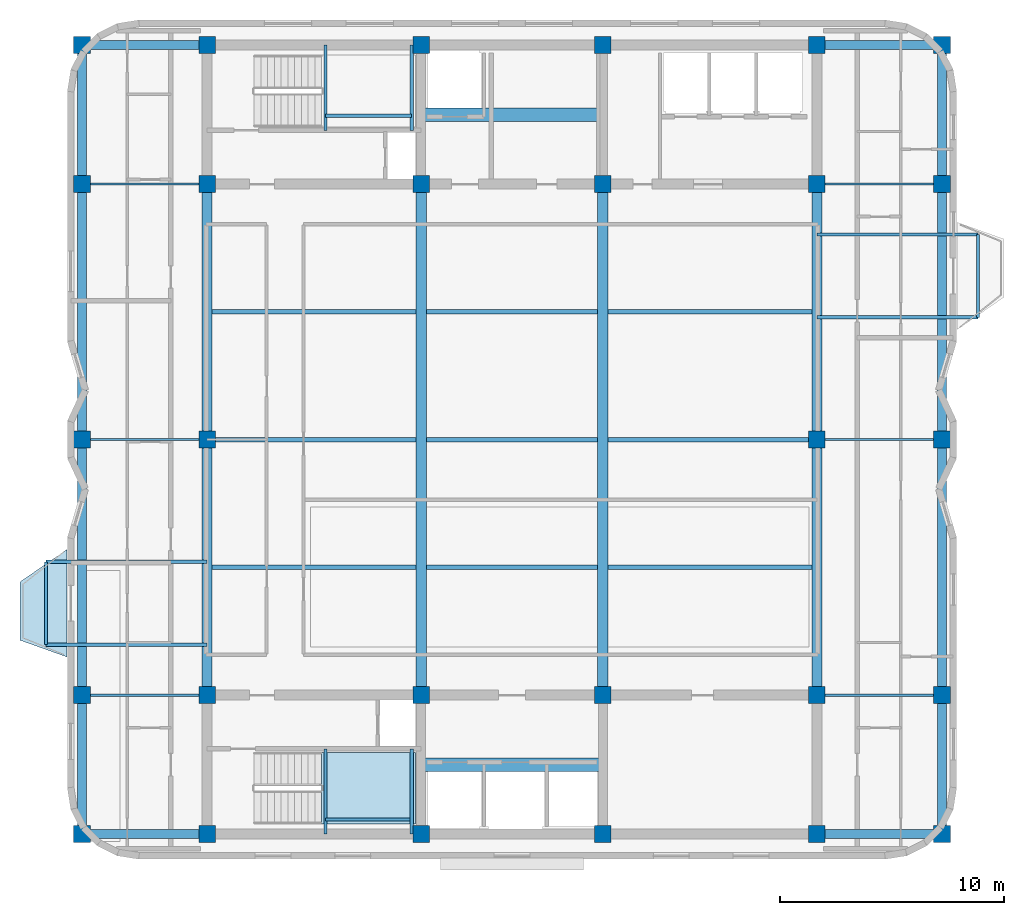
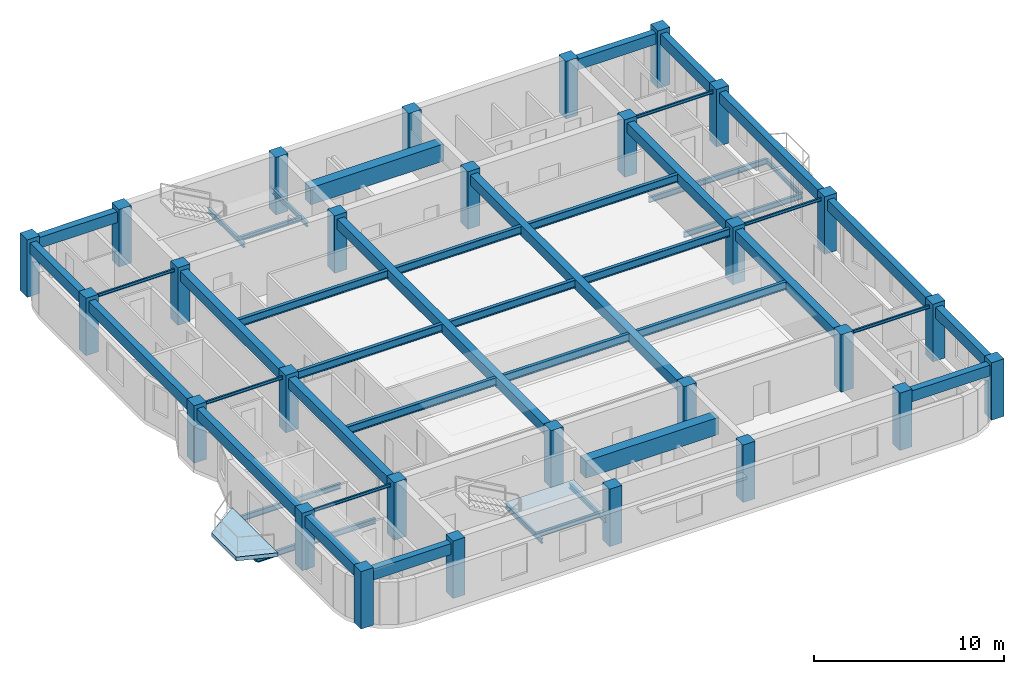
# One storey, part 1 of 8: 47 beams, 28 columns, 2 slabs, 1 element without a shape of its own.
"""IFC4 building model written with IfcOpenShell, lengths in metres."""

from ifc_helpers import new_model, si_unit, direction, frame, origin, origin_2d, place, context, subcontext, project, spatial, polyline, rectangle, i_section, outline, extrude, material, layer, layer_set, material_profile, profile_set, type_object, element, aggregate, save


model = new_model("IFC4")

# Units and contexts
model_context = context("Model", 3, precision=1e-05, world=origin(), true_north=direction((0.0, 1.0)))
body_context = subcontext(model_context, "Body", "Model", "MODEL_VIEW")
ifc_project = project(units=[si_unit("LENGTHUNIT", "METRE"), si_unit("AREAUNIT", "SQUARE_METRE"), si_unit("VOLUMEUNIT", "CUBIC_METRE"), si_unit("PLANEANGLEUNIT", "RADIAN"), si_unit("MASSUNIT", "GRAM", prefix="KILO")], contexts=[model_context])

# Site, building, storey
site_placement = place(None, origin())
site = spatial("IfcSite", under=ifc_project, at=site_placement, CompositionType="ELEMENT")
building_placement = place(site_placement, origin())
building = spatial("IfcBuilding", under=site, at=building_placement, Name="Svetorya Sky Lyceum", CompositionType="ELEMENT")
storey_placement = place(building_placement, frame((0.0, 0.0, 282.39990234375)))
storey = spatial("IfcBuildingStorey", under=building, at=storey_placement, Name="L71", CompositionType="ELEMENT", Elevation=282.39990234375)

# Columns
ifc_material_1 = material(Name="Concrete C40/50", Category="concrete")
ifc_material_profile_1 = material_profile(ifc_material_1, rectangle(XDim=0.75, YDim=0.75, at=origin_2d()), Name="RC COL 750x750")
ifc_profile_set_1 = profile_set([ifc_material_profile_1], Name="Concrete C40/50")
column_type = type_object("IfcColumnType", Name="COL-RC-750", PredefinedType="COLUMN", material=ifc_profile_set_1)
for number, where, z_axis, x_axis, name in (
    (1, (25.60009765625, 10.60009765625, 0.0), (0.0, 0.0, 1.0), (1.0, 0.0, 0.0), "L71 Core Column CS-11"),
    (2, (25.60009765625, 16.800048828125, 0.0), (0.0, 0.0, 1.0), (1.0, 0.0, 0.0), "L71 Core Column CS-12"),
    (3, (35.14990234375, 10.60009765625, 0.0), (0.0, 0.0, 1.0), (1.0, 0.0, 0.0), "L71 Core Column CS-21"),
    (4, (35.14990234375, 16.800048828125, 0.0), (0.0, 0.0, 1.0), (1.0, 0.0, 0.0), "L71 Core Column CS-22"),
    (5, (43.25, 10.60009765625, 0.0), (0.0, 0.0, 1.0), (1.0, 0.0, 0.0), "L71 Core Column CS-31"),
    (6, (43.25, 16.800048828125, 0.0), (0.0, 0.0, 1.0), (1.0, 0.0, 0.0), "L71 Core Column CS-32"),
    (7, (52.800048828125, 10.60009765625, 0.0), (0.0, 0.0, 1.0), (1.0, 0.0, 0.0), "L71 Core Column CS-41"),
    (8, (52.800048828125, 16.800048828125, 0.0), (0.0, 0.0, 1.0), (1.0, 0.0, 0.0), "L71 Core Column CS-42"),
    (9, (25.60009765625, 39.60009765625, 0.0), (0.0, 0.0, 1.0), (1.0, 0.0, 0.0), "L71 Core Column CN-11"),
    (10, (25.60009765625, 45.800048828125, 0.0), (0.0, 0.0, 1.0), (1.0, 0.0, 0.0), "L71 Core Column CN-12"),
    (11, (35.14990234375, 39.60009765625, 0.0), (0.0, 0.0, 1.0), (1.0, 0.0, 0.0), "L71 Core Column CN-21"),
    (12, (35.14990234375, 45.800048828125, 0.0), (0.0, 0.0, 1.0), (1.0, 0.0, 0.0), "L71 Core Column CN-22"),
    (13, (43.25, 39.60009765625, 0.0), (0.0, 0.0, 1.0), (1.0, 0.0, 0.0), "L71 Core Column CN-31"),
    (14, (43.25, 45.800048828125, 0.0), (0.0, 0.0, 1.0), (1.0, 0.0, 0.0), "L71 Core Column CN-32"),
    (15, (52.800048828125, 39.60009765625, 0.0), (0.0, 0.0, 1.0), (1.0, 0.0, 0.0), "L71 Core Column CN-41"),
    (16, (52.800048828125, 45.800048828125, 0.0), (0.0, 0.0, 1.0), (1.0, 0.0, 0.0), "L71 Core Column CN-42"),
    (17, (25.60009765625, 28.199951171875, 0.0), (0.0, 0.0, 1.0), (1.0, 0.0, 0.0), "L71 Core Column CM-W"),
    (18, (52.800048828125, 28.199951171875, 0.0), (0.0, 0.0, 1.0), (1.0, 0.0, 0.0), "L71 Core Column CM-E"),
    (19, (20.010009765625, 10.60009765625, 0.0), (0.0, 0.0, 1.0), (1.0, 0.0, 0.0), "L71 Perimeter Column W1"),
    (20, (58.389892578125, 10.60009765625, 0.0), (0.0, 0.0, 1.0), (1.0, 0.0, 0.0), "L71 Perimeter Column E1"),
    (21, (20.010009765625, 16.800048828125, 0.0), (0.0, 0.0, 1.0), (1.0, 0.0, 0.0), "L71 Perimeter Column W2"),
    (22, (58.389892578125, 16.800048828125, 0.0), (0.0, 0.0, 1.0), (1.0, 0.0, 0.0), "L71 Perimeter Column E2"),
    (23, (20.010009765625, 28.199951171875, 0.0), (0.0, 0.0, 1.0), (1.0, 0.0, 0.0), "L71 Perimeter Column W3"),
    (24, (58.389892578125, 28.199951171875, 0.0), (0.0, 0.0, 1.0), (1.0, 0.0, 0.0), "L71 Perimeter Column E3"),
    (25, (20.010009765625, 39.60009765625, 0.0), (0.0, 0.0, 1.0), (1.0, 0.0, 0.0), "L71 Perimeter Column W4"),
    (26, (58.389892578125, 39.60009765625, 0.0), (0.0, 0.0, 1.0), (1.0, 0.0, 0.0), "L71 Perimeter Column E4"),
    (27, (20.010009765625, 45.800048828125, 0.0), (0.0, 0.0, 1.0), (1.0, 0.0, 0.0), "L71 Perimeter Column W5"),
    (28, (58.389892578125, 45.800048828125, 0.0), (0.0, 0.0, 1.0), (1.0, 0.0, 0.0), "L71 Perimeter Column E5"),
):
    element("IfcColumn", number, at=place(storey_placement, frame(where, z_axis=z_axis, x_axis=x_axis)), inside=storey, type_object=column_type, Name=name, PredefinedType="COLUMN", context=body_context, shape_type="SweptSolid", body=[
        extrude(rectangle(XDim=0.75, YDim=0.75, at=origin_2d()), origin(), (0.0, 0.0, 1.0), 3.7001953125),
    ])

# Beams
ifc_material_2 = material(Name="Concrete C60/75", Category="concrete")
ifc_material_profile_2 = material_profile(ifc_material_2, rectangle(XDim=0.60009765625, YDim=1.10009765625, at=origin_2d()), Name="RC COUPLING 600x1100")
ifc_profile_set_2 = profile_set([ifc_material_profile_2], Name="Concrete C60/75")
beam_type_1 = type_object("IfcBeamType", Name="BM-CPL-1100", PredefinedType="LINTEL", material=ifc_profile_set_2)
for number, where, z_axis, x_axis, name in (
    (29, (35.14990234375, 13.699951171875, 2.900146484375), (1.0, 0.0, 0.0), (0.0, 1.0, 0.0), "L71 SC Core Coupling Beam"),
    (30, (35.14990234375, 42.699951171875, 2.900146484375), (1.0, 0.0, 0.0), (0.0, 1.0, 0.0), "L71 NC Core Coupling Beam"),
):
    element("IfcBeam", number, at=place(storey_placement, frame(where, z_axis=z_axis, x_axis=x_axis)), inside=storey, type_object=beam_type_1, Name=name, PredefinedType="LINTEL", context=body_context, shape_type="SweptSolid", body=[
        extrude(rectangle(XDim=0.60009765625, YDim=1.10009765625, at=origin_2d()), origin(), (0.0, 0.0, 1.0), 8.10009765625),
    ])
ifc_material_profile_3 = material_profile(ifc_material_1, rectangle(XDim=0.449951171875, YDim=0.64990234375, at=origin_2d()), Name="RC BEAM 450x650")
ifc_profile_set_3 = profile_set([ifc_material_profile_3], Name="Concrete C40/50")
beam_type_2 = type_object("IfcBeamType", Name="BM-RC-650", PredefinedType="BEAM", material=ifc_profile_set_3)
beam_1_placement = place(storey_placement, frame((25.60009765625, 16.800048828125, 3.125), z_axis=(0.0, 1.0, 0.0), x_axis=(-1.0, 0.0, 0.0)))
element("IfcBeam", 31, at=beam_1_placement, inside=storey, type_object=beam_type_2, Name="L71 Central Bay Primary Girder CG-1A", PredefinedType="BEAM", context=body_context, shape_type="SweptSolid", body=[
    extrude(rectangle(XDim=0.449951171875, YDim=0.64990234375, at=origin_2d()), origin(), (0.0, 0.0, 1.0), 11.39990234375),
])
beam_2_placement = place(storey_placement, frame((25.60009765625, 28.199951171875, 3.125), z_axis=(0.0, 1.0, 0.0), x_axis=(-1.0, 0.0, 0.0)))
element("IfcBeam", 32, at=beam_2_placement, inside=storey, type_object=beam_type_2, Name="L71 Central Bay Primary Girder CG-1B", PredefinedType="BEAM", context=body_context, shape_type="SweptSolid", body=[
    extrude(rectangle(XDim=0.449951171875, YDim=0.64990234375, at=origin_2d()), origin(), (0.0, 0.0, 1.0), 11.400146484375),
])
for number, where, z_axis, x_axis, name in (
    (33, (35.14990234375, 16.800048828125, 3.125), (0.0, 1.0, 0.0), (-1.0, 0.0, 0.0), "L71 Central Bay Primary Girder CG-2"),
    (34, (43.25, 16.800048828125, 3.125), (0.0, 1.0, 0.0), (-1.0, 0.0, 0.0), "L71 Central Bay Primary Girder CG-3"),
):
    element("IfcBeam", number, at=place(storey_placement, frame(where, z_axis=z_axis, x_axis=x_axis)), inside=storey, type_object=beam_type_2, Name=name, PredefinedType="BEAM", context=body_context, shape_type="SweptSolid", body=[
        extrude(rectangle(XDim=0.449951171875, YDim=0.64990234375, at=origin_2d()), origin(), (0.0, 0.0, 1.0), 22.800048828125),
    ])
beam_3_placement = place(storey_placement, frame((52.800048828125, 16.800048828125, 3.125), z_axis=(0.0, 1.0, 0.0), x_axis=(-1.0, 0.0, 0.0)))
element("IfcBeam", 35, at=beam_3_placement, inside=storey, type_object=beam_type_2, Name="L71 Central Bay Primary Girder CG-4A", PredefinedType="BEAM", context=body_context, shape_type="SweptSolid", body=[
    extrude(rectangle(XDim=0.449951171875, YDim=0.64990234375, at=origin_2d()), origin(), (0.0, 0.0, 1.0), 11.39990234375),
])
beam_4_placement = place(storey_placement, frame((52.800048828125, 28.199951171875, 3.125), z_axis=(0.0, 1.0, 0.0), x_axis=(-1.0, 0.0, 0.0)))
element("IfcBeam", 36, at=beam_4_placement, inside=storey, type_object=beam_type_2, Name="L71 Central Bay Primary Girder CG-4B", PredefinedType="BEAM", context=body_context, shape_type="SweptSolid", body=[
    extrude(rectangle(XDim=0.449951171875, YDim=0.64990234375, at=origin_2d()), origin(), (0.0, 0.0, 1.0), 11.400146484375),
])
ifc_material_3 = material(Name="Concrete C50/60", Category="concrete")
ifc_material_profile_4 = material_profile(ifc_material_3, rectangle(XDim=0.39990234375, YDim=0.699951171875, at=origin_2d()), Name="RC SPANDREL 400x700")
ifc_profile_set_4 = profile_set([ifc_material_profile_4], Name="Concrete C50/60")
beam_type_3 = type_object("IfcBeamType", Name="BM-SPN-700", PredefinedType="SPANDREL", material=ifc_profile_set_4)
for number, where, z_axis, x_axis, name in (
    (37, (20.010009765625, 10.60009765625, 3.10009765625), (1.0, 0.0, 0.0), (0.0, 1.0, 0.0), "L71 Tie Spandrel SW"),
    (38, (20.010009765625, 45.800048828125, 3.10009765625), (1.0, 0.0, 0.0), (0.0, 1.0, 0.0), "L71 Tie Spandrel NW"),
):
    element("IfcBeam", number, at=place(storey_placement, frame(where, z_axis=z_axis, x_axis=x_axis)), inside=storey, type_object=beam_type_3, Name=name, PredefinedType="SPANDREL", context=body_context, shape_type="SweptSolid", body=[
        extrude(rectangle(XDim=0.39990234375, YDim=0.699951171875, at=origin_2d()), origin(), (0.0, 0.0, 1.0), 5.590087890625),
    ])
for number, where, z_axis, x_axis, name in (
    (39, (52.800048828125, 10.60009765625, 3.10009765625), (1.0, 0.0, 0.0), (0.0, 1.0, 0.0), "L71 Tie Spandrel SE"),
    (40, (52.800048828125, 45.800048828125, 3.10009765625), (1.0, 0.0, 0.0), (0.0, 1.0, 0.0), "L71 Tie Spandrel NE"),
):
    element("IfcBeam", number, at=place(storey_placement, frame(where, z_axis=z_axis, x_axis=x_axis)), inside=storey, type_object=beam_type_3, Name=name, PredefinedType="SPANDREL", context=body_context, shape_type="SweptSolid", body=[
        extrude(rectangle(XDim=0.39990234375, YDim=0.699951171875, at=origin_2d()), origin(), (0.0, 0.0, 1.0), 5.58984375),
    ])
beam_5_placement = place(storey_placement, frame((20.010009765625, 10.60009765625, 3.10009765625), z_axis=(0.0, 1.0, 0.0), x_axis=(-1.0, 0.0, 0.0)))
element("IfcBeam", 41, at=beam_5_placement, inside=storey, type_object=beam_type_3, Name="L71 West Spandrel 1", PredefinedType="SPANDREL", context=body_context, shape_type="SweptSolid", body=[
    extrude(rectangle(XDim=0.39990234375, YDim=0.699951171875, at=origin_2d()), origin(), (0.0, 0.0, 1.0), 6.199951171875),
])
beam_6_placement = place(storey_placement, frame((20.010009765625, 16.800048828125, 3.10009765625), z_axis=(0.0, 1.0, 0.0), x_axis=(-1.0, 0.0, 0.0)))
element("IfcBeam", 42, at=beam_6_placement, inside=storey, type_object=beam_type_3, Name="L71 West Spandrel 2", PredefinedType="SPANDREL", context=body_context, shape_type="SweptSolid", body=[
    extrude(rectangle(XDim=0.39990234375, YDim=0.699951171875, at=origin_2d()), origin(), (0.0, 0.0, 1.0), 11.39990234375),
])
beam_7_placement = place(storey_placement, frame((20.010009765625, 28.199951171875, 3.10009765625), z_axis=(0.0, 1.0, 0.0), x_axis=(-1.0, 0.0, 0.0)))
element("IfcBeam", 43, at=beam_7_placement, inside=storey, type_object=beam_type_3, Name="L71 West Spandrel 3", PredefinedType="SPANDREL", context=body_context, shape_type="SweptSolid", body=[
    extrude(rectangle(XDim=0.39990234375, YDim=0.699951171875, at=origin_2d()), origin(), (0.0, 0.0, 1.0), 11.400146484375),
])
for number, where, z_axis, x_axis, name in (
    (44, (20.010009765625, 39.60009765625, 3.10009765625), (0.0, 1.0, 0.0), (-1.0, 0.0, 0.0), "L71 West Spandrel 4"),
    (45, (58.389892578125, 10.60009765625, 3.10009765625), (0.0, 1.0, 0.0), (-1.0, 0.0, 0.0), "L71 East Spandrel 1"),
):
    element("IfcBeam", number, at=place(storey_placement, frame(where, z_axis=z_axis, x_axis=x_axis)), inside=storey, type_object=beam_type_3, Name=name, PredefinedType="SPANDREL", context=body_context, shape_type="SweptSolid", body=[
        extrude(rectangle(XDim=0.39990234375, YDim=0.699951171875, at=origin_2d()), origin(), (0.0, 0.0, 1.0), 6.199951171875),
    ])
beam_8_placement = place(storey_placement, frame((58.389892578125, 16.800048828125, 3.10009765625), z_axis=(0.0, 1.0, 0.0), x_axis=(-1.0, 0.0, 0.0)))
element("IfcBeam", 46, at=beam_8_placement, inside=storey, type_object=beam_type_3, Name="L71 East Spandrel 2", PredefinedType="SPANDREL", context=body_context, shape_type="SweptSolid", body=[
    extrude(rectangle(XDim=0.39990234375, YDim=0.699951171875, at=origin_2d()), origin(), (0.0, 0.0, 1.0), 11.39990234375),
])
beam_9_placement = place(storey_placement, frame((58.389892578125, 28.199951171875, 3.10009765625), z_axis=(0.0, 1.0, 0.0), x_axis=(-1.0, 0.0, 0.0)))
element("IfcBeam", 47, at=beam_9_placement, inside=storey, type_object=beam_type_3, Name="L71 East Spandrel 3", PredefinedType="SPANDREL", context=body_context, shape_type="SweptSolid", body=[
    extrude(rectangle(XDim=0.39990234375, YDim=0.699951171875, at=origin_2d()), origin(), (0.0, 0.0, 1.0), 11.400146484375),
])
beam_10_placement = place(storey_placement, frame((58.389892578125, 39.60009765625, 3.10009765625), z_axis=(0.0, 1.0, 0.0), x_axis=(-1.0, 0.0, 0.0)))
element("IfcBeam", 48, at=beam_10_placement, inside=storey, type_object=beam_type_3, Name="L71 East Spandrel 4", PredefinedType="SPANDREL", context=body_context, shape_type="SweptSolid", body=[
    extrude(rectangle(XDim=0.39990234375, YDim=0.699951171875, at=origin_2d()), origin(), (0.0, 0.0, 1.0), 6.199951171875),
])
ifc_material_4 = material(Name="Steel S355", Category="steel")
ifc_material_profile_5 = material_profile(ifc_material_4, i_section(OverallWidth=0.10009765625, OverallDepth=0.199951171875, WebThickness=0.005615234375, FlangeThickness=0.008544921875, at=origin_2d()), Name="GOST 20B1")
ifc_profile_set_5 = profile_set([ifc_material_profile_5], Name="Steel S355")
beam_type_4 = type_object("IfcBeamType", Name="BM-STL-20B1", PredefinedType="JOIST", material=ifc_profile_set_5)
beam_11_placement = place(storey_placement, frame((20.010009765625, 16.800048828125, 3.35009765625), z_axis=(1.0, 0.0, 0.0), x_axis=(0.0, 1.0, 0.0)))
element("IfcBeam", 49, at=beam_11_placement, inside=storey, type_object=beam_type_4, Name="L71 West Wing Floor Joist W2", PredefinedType="JOIST", context=body_context, shape_type="SweptSolid", body=[
    extrude(i_section(OverallWidth=0.10009765625, OverallDepth=0.199951171875, WebThickness=0.005615234375, FlangeThickness=0.008544921875, at=origin_2d()), origin(), (0.0, 0.0, 1.0), 5.590087890625),
])
beam_12_placement = place(storey_placement, frame((52.800048828125, 16.800048828125, 3.35009765625), z_axis=(1.0, 0.0, 0.0), x_axis=(0.0, 1.0, 0.0)))
element("IfcBeam", 50, at=beam_12_placement, inside=storey, type_object=beam_type_4, Name="L71 East Wing Floor Joist E2", PredefinedType="JOIST", context=body_context, shape_type="SweptSolid", body=[
    extrude(i_section(OverallWidth=0.10009765625, OverallDepth=0.199951171875, WebThickness=0.005615234375, FlangeThickness=0.008544921875, at=origin_2d()), origin(), (0.0, 0.0, 1.0), 5.58984375),
])
beam_13_placement = place(storey_placement, frame((20.010009765625, 28.199951171875, 3.35009765625), z_axis=(1.0, 0.0, 0.0), x_axis=(0.0, 1.0, 0.0)))
element("IfcBeam", 51, at=beam_13_placement, inside=storey, type_object=beam_type_4, Name="L71 West Wing Floor Joist W3", PredefinedType="JOIST", context=body_context, shape_type="SweptSolid", body=[
    extrude(i_section(OverallWidth=0.10009765625, OverallDepth=0.199951171875, WebThickness=0.005615234375, FlangeThickness=0.008544921875, at=origin_2d()), origin(), (0.0, 0.0, 1.0), 5.590087890625),
])
beam_14_placement = place(storey_placement, frame((52.800048828125, 28.199951171875, 3.35009765625), z_axis=(1.0, 0.0, 0.0), x_axis=(0.0, 1.0, 0.0)))
element("IfcBeam", 52, at=beam_14_placement, inside=storey, type_object=beam_type_4, Name="L71 East Wing Floor Joist E3", PredefinedType="JOIST", context=body_context, shape_type="SweptSolid", body=[
    extrude(i_section(OverallWidth=0.10009765625, OverallDepth=0.199951171875, WebThickness=0.005615234375, FlangeThickness=0.008544921875, at=origin_2d()), origin(), (0.0, 0.0, 1.0), 5.58984375),
])
beam_15_placement = place(storey_placement, frame((20.010009765625, 39.60009765625, 3.35009765625), z_axis=(1.0, 0.0, 0.0), x_axis=(0.0, 1.0, 0.0)))
element("IfcBeam", 53, at=beam_15_placement, inside=storey, type_object=beam_type_4, Name="L71 West Wing Floor Joist W4", PredefinedType="JOIST", context=body_context, shape_type="SweptSolid", body=[
    extrude(i_section(OverallWidth=0.10009765625, OverallDepth=0.199951171875, WebThickness=0.005615234375, FlangeThickness=0.008544921875, at=origin_2d()), origin(), (0.0, 0.0, 1.0), 5.590087890625),
])
beam_16_placement = place(storey_placement, frame((52.800048828125, 39.60009765625, 3.35009765625), z_axis=(1.0, 0.0, 0.0), x_axis=(0.0, 1.0, 0.0)))
element("IfcBeam", 54, at=beam_16_placement, inside=storey, type_object=beam_type_4, Name="L71 East Wing Floor Joist E4", PredefinedType="JOIST", context=body_context, shape_type="SweptSolid", body=[
    extrude(i_section(OverallWidth=0.10009765625, OverallDepth=0.199951171875, WebThickness=0.005615234375, FlangeThickness=0.008544921875, at=origin_2d()), origin(), (0.0, 0.0, 1.0), 5.58984375),
])
ifc_material_profile_6 = material_profile(ifc_material_4, i_section(OverallWidth=0.14990234375, OverallDepth=0.299072265625, WebThickness=0.006591796875, FlangeThickness=0.010498046875, at=origin_2d()), Name="GOST 30B2")
ifc_profile_set_6 = profile_set([ifc_material_profile_6], Name="Steel S355")
beam_type_5 = type_object("IfcBeamType", Name="BM-STL-30B2", PredefinedType="JOIST", material=ifc_profile_set_6)
beam_17_placement = place(storey_placement, frame((18.409912109375, 19.050048828125, -0.42431640625), z_axis=(0.0, 1.0, 0.0), x_axis=(-1.0, 0.0, 0.0)))
element("IfcBeam", 55, at=beam_17_placement, inside=storey, type_object=beam_type_5, Name="L71 Balcony Edge Tie BAL-W1", PredefinedType="JOIST", context=body_context, shape_type="SweptSolid", body=[
    extrude(i_section(OverallWidth=0.14990234375, OverallDepth=0.299072265625, WebThickness=0.006591796875, FlangeThickness=0.010498046875, at=origin_2d()), origin(), (0.0, 0.0, 1.0), 3.699951171875),
])
beam_18_placement = place(storey_placement, frame((59.989990234375, 33.64990234375, -0.42431640625), z_axis=(0.0, 1.0, 0.0), x_axis=(-1.0, 0.0, 0.0)))
element("IfcBeam", 56, at=beam_18_placement, inside=storey, type_object=beam_type_5, Name="L71 Balcony Edge Tie BAL-E1", PredefinedType="JOIST", context=body_context, shape_type="SweptSolid", body=[
    extrude(i_section(OverallWidth=0.14990234375, OverallDepth=0.299072265625, WebThickness=0.006591796875, FlangeThickness=0.010498046875, at=origin_2d()), origin(), (0.0, 0.0, 1.0), 3.7001953125),
])
for number, where, z_axis, x_axis, name in (
    (57, (30.8798828125, 10.60009765625, 1.50048828125), (0.0, 1.0, 0.0), (-1.0, 0.0, 0.0), "L71 Stair ST-S Half-Landing Support Beam 79.1"),
    (58, (34.719970703125, 10.60009765625, 1.50048828125), (0.0, 1.0, 0.0), (-1.0, 0.0, 0.0), "L71 Stair ST-S Half-Landing Support Beam 79.2"),
):
    element("IfcBeam", number, at=place(storey_placement, frame(where, z_axis=z_axis, x_axis=x_axis)), inside=storey, type_object=beam_type_5, Name=name, PredefinedType="JOIST", context=body_context, shape_type="SweptSolid", body=[
        extrude(i_section(OverallWidth=0.14990234375, OverallDepth=0.299072265625, WebThickness=0.006591796875, FlangeThickness=0.010498046875, at=origin_2d()), origin(), (0.0, 0.0, 1.0), 3.7998046875),
    ])
beam_19_placement = place(storey_placement, frame((30.8798828125, 11.25, 1.50048828125), z_axis=(1.0, 0.0, 0.0), x_axis=(0.0, 1.0, 0.0)))
element("IfcBeam", 59, at=beam_19_placement, inside=storey, type_object=beam_type_5, Name="L71 Stair ST-S Half-Landing Cross Tie 79", PredefinedType="JOIST", context=body_context, shape_type="SweptSolid", body=[
    extrude(i_section(OverallWidth=0.14990234375, OverallDepth=0.299072265625, WebThickness=0.006591796875, FlangeThickness=0.010498046875, at=origin_2d()), origin(), (0.0, 0.0, 1.0), 3.840087890625),
])
for number, where, z_axis, x_axis, name in (
    (60, (30.8798828125, 42.0, 1.50048828125), (0.0, 1.0, 0.0), (-1.0, 0.0, 0.0), "L71 Stair ST-N Half-Landing Support Beam 79.1"),
    (61, (34.719970703125, 42.0, 1.50048828125), (0.0, 1.0, 0.0), (-1.0, 0.0, 0.0), "L71 Stair ST-N Half-Landing Support Beam 79.2"),
):
    element("IfcBeam", number, at=place(storey_placement, frame(where, z_axis=z_axis, x_axis=x_axis)), inside=storey, type_object=beam_type_5, Name=name, PredefinedType="JOIST", context=body_context, shape_type="SweptSolid", body=[
        extrude(i_section(OverallWidth=0.14990234375, OverallDepth=0.299072265625, WebThickness=0.006591796875, FlangeThickness=0.010498046875, at=origin_2d()), origin(), (0.0, 0.0, 1.0), 3.800048828125),
    ])
beam_20_placement = place(storey_placement, frame((30.8798828125, 42.64990234375, 1.50048828125), z_axis=(1.0, 0.0, 0.0), x_axis=(0.0, 1.0, 0.0)))
element("IfcBeam", 62, at=beam_20_placement, inside=storey, type_object=beam_type_5, Name="L71 Stair ST-N Half-Landing Cross Tie 79", PredefinedType="JOIST", context=body_context, shape_type="SweptSolid", body=[
    extrude(i_section(OverallWidth=0.14990234375, OverallDepth=0.299072265625, WebThickness=0.006591796875, FlangeThickness=0.010498046875, at=origin_2d()), origin(), (0.0, 0.0, 1.0), 3.840087890625),
])
ifc_material_profile_7 = material_profile(ifc_material_4, i_section(OverallWidth=0.155029296875, OverallDepth=0.34912109375, WebThickness=0.007080078125, FlangeThickness=0.011474609375, at=origin_2d()), Name="GOST 35B2")
ifc_profile_set_7 = profile_set([ifc_material_profile_7], Name="Steel S355")
beam_type_6 = type_object("IfcBeamType", Name="BM-STL-35B2", PredefinedType="JOIST", material=ifc_profile_set_7)
for number, where, z_axis, x_axis, name in (
    (63, (25.60009765625, 19.050048828125, -0.42431640625), (-1.0, 0.0, 0.0), (0.0, -1.0, 0.0), "L71 Balcony Cantilever Beam BAL-W1-1"),
    (64, (25.60009765625, 22.75, -0.42431640625), (-1.0, 0.0, 0.0), (0.0, -1.0, 0.0), "L71 Balcony Cantilever Beam BAL-W1-2"),
):
    element("IfcBeam", number, at=place(storey_placement, frame(where, z_axis=z_axis, x_axis=x_axis)), inside=storey, type_object=beam_type_6, Name=name, PredefinedType="JOIST", context=body_context, shape_type="SweptSolid", body=[
        extrude(i_section(OverallWidth=0.155029296875, OverallDepth=0.34912109375, WebThickness=0.007080078125, FlangeThickness=0.011474609375, at=origin_2d()), origin(), (0.0, 0.0, 1.0), 7.190185546875),
    ])
for number, where, z_axis, x_axis, name in (
    (65, (52.800048828125, 33.64990234375, -0.42431640625), (1.0, 0.0, 0.0), (0.0, 1.0, 0.0), "L71 Balcony Cantilever Beam BAL-E1-1"),
    (66, (52.800048828125, 37.35009765625, -0.42431640625), (1.0, 0.0, 0.0), (0.0, 1.0, 0.0), "L71 Balcony Cantilever Beam BAL-E1-2"),
):
    element("IfcBeam", number, at=place(storey_placement, frame(where, z_axis=z_axis, x_axis=x_axis)), inside=storey, type_object=beam_type_6, Name=name, PredefinedType="JOIST", context=body_context, shape_type="SweptSolid", body=[
        extrude(i_section(OverallWidth=0.155029296875, OverallDepth=0.34912109375, WebThickness=0.007080078125, FlangeThickness=0.011474609375, at=origin_2d()), origin(), (0.0, 0.0, 1.0), 7.18994140625),
    ])
ifc_material_profile_8 = material_profile(ifc_material_4, i_section(OverallWidth=0.198974609375, OverallDepth=0.498046875, WebThickness=0.010009765625, FlangeThickness=0.01611328125, at=origin_2d()), Name="GOST 50B2")
ifc_profile_set_8 = profile_set([ifc_material_profile_8], Name="Steel S355")
beam_type_7 = type_object("IfcBeamType", Name="BM-STL-50B2", PredefinedType="BEAM", material=ifc_profile_set_8)
beam_21_placement = place(storey_placement, frame((25.824951171875, 22.5, 3.201171875), z_axis=(1.0, 0.0, 0.0), x_axis=(0.0, 1.0, 0.0)))
element("IfcBeam", 67, at=beam_21_placement, inside=storey, type_object=beam_type_7, Name="L71 Central Floor Joist CJ-1.1", PredefinedType="BEAM", context=body_context, shape_type="SweptSolid", body=[
    extrude(i_section(OverallWidth=0.198974609375, OverallDepth=0.498046875, WebThickness=0.010009765625, FlangeThickness=0.01611328125, at=origin_2d()), origin(), (0.0, 0.0, 1.0), 9.10009765625),
])
beam_22_placement = place(storey_placement, frame((35.375, 22.5, 3.201171875), z_axis=(1.0, 0.0, 0.0), x_axis=(0.0, 1.0, 0.0)))
element("IfcBeam", 68, at=beam_22_placement, inside=storey, type_object=beam_type_7, Name="L71 Central Floor Joist CJ-1.2", PredefinedType="BEAM", context=body_context, shape_type="SweptSolid", body=[
    extrude(i_section(OverallWidth=0.198974609375, OverallDepth=0.498046875, WebThickness=0.010009765625, FlangeThickness=0.01611328125, at=origin_2d()), origin(), (0.0, 0.0, 1.0), 7.64990234375),
])
beam_23_placement = place(storey_placement, frame((43.47509765625, 22.5, 3.201171875), z_axis=(1.0, 0.0, 0.0), x_axis=(0.0, 1.0, 0.0)))
element("IfcBeam", 69, at=beam_23_placement, inside=storey, type_object=beam_type_7, Name="L71 Central Floor Joist CJ-1.3", PredefinedType="BEAM", context=body_context, shape_type="SweptSolid", body=[
    extrude(i_section(OverallWidth=0.198974609375, OverallDepth=0.498046875, WebThickness=0.010009765625, FlangeThickness=0.01611328125, at=origin_2d()), origin(), (0.0, 0.0, 1.0), 9.099853515625),
])
beam_24_placement = place(storey_placement, frame((25.824951171875, 28.199951171875, 3.201171875), z_axis=(1.0, 0.0, 0.0), x_axis=(0.0, 1.0, 0.0)))
element("IfcBeam", 70, at=beam_24_placement, inside=storey, type_object=beam_type_7, Name="L71 Central Floor Joist CJ-2.1", PredefinedType="BEAM", context=body_context, shape_type="SweptSolid", body=[
    extrude(i_section(OverallWidth=0.198974609375, OverallDepth=0.498046875, WebThickness=0.010009765625, FlangeThickness=0.01611328125, at=origin_2d()), origin(), (0.0, 0.0, 1.0), 9.10009765625),
])
beam_25_placement = place(storey_placement, frame((35.375, 28.199951171875, 3.201171875), z_axis=(1.0, 0.0, 0.0), x_axis=(0.0, 1.0, 0.0)))
element("IfcBeam", 71, at=beam_25_placement, inside=storey, type_object=beam_type_7, Name="L71 Central Floor Joist CJ-2.2", PredefinedType="BEAM", context=body_context, shape_type="SweptSolid", body=[
    extrude(i_section(OverallWidth=0.198974609375, OverallDepth=0.498046875, WebThickness=0.010009765625, FlangeThickness=0.01611328125, at=origin_2d()), origin(), (0.0, 0.0, 1.0), 7.64990234375),
])
beam_26_placement = place(storey_placement, frame((43.47509765625, 28.199951171875, 3.201171875), z_axis=(1.0, 0.0, 0.0), x_axis=(0.0, 1.0, 0.0)))
element("IfcBeam", 72, at=beam_26_placement, inside=storey, type_object=beam_type_7, Name="L71 Central Floor Joist CJ-2.3", PredefinedType="BEAM", context=body_context, shape_type="SweptSolid", body=[
    extrude(i_section(OverallWidth=0.198974609375, OverallDepth=0.498046875, WebThickness=0.010009765625, FlangeThickness=0.01611328125, at=origin_2d()), origin(), (0.0, 0.0, 1.0), 9.099853515625),
])
beam_27_placement = place(storey_placement, frame((25.824951171875, 33.89990234375, 3.201171875), z_axis=(1.0, 0.0, 0.0), x_axis=(0.0, 1.0, 0.0)))
element("IfcBeam", 73, at=beam_27_placement, inside=storey, type_object=beam_type_7, Name="L71 Central Floor Joist CJ-3.1", PredefinedType="BEAM", context=body_context, shape_type="SweptSolid", body=[
    extrude(i_section(OverallWidth=0.198974609375, OverallDepth=0.498046875, WebThickness=0.010009765625, FlangeThickness=0.01611328125, at=origin_2d()), origin(), (0.0, 0.0, 1.0), 9.10009765625),
])
beam_28_placement = place(storey_placement, frame((35.375, 33.89990234375, 3.201171875), z_axis=(1.0, 0.0, 0.0), x_axis=(0.0, 1.0, 0.0)))
element("IfcBeam", 74, at=beam_28_placement, inside=storey, type_object=beam_type_7, Name="L71 Central Floor Joist CJ-3.2", PredefinedType="BEAM", context=body_context, shape_type="SweptSolid", body=[
    extrude(i_section(OverallWidth=0.198974609375, OverallDepth=0.498046875, WebThickness=0.010009765625, FlangeThickness=0.01611328125, at=origin_2d()), origin(), (0.0, 0.0, 1.0), 7.64990234375),
])
beam_29_placement = place(storey_placement, frame((43.47509765625, 33.89990234375, 3.201171875), z_axis=(1.0, 0.0, 0.0), x_axis=(0.0, 1.0, 0.0)))
element("IfcBeam", 75, at=beam_29_placement, inside=storey, type_object=beam_type_7, Name="L71 Central Floor Joist CJ-3.3", PredefinedType="BEAM", context=body_context, shape_type="SweptSolid", body=[
    extrude(i_section(OverallWidth=0.198974609375, OverallDepth=0.498046875, WebThickness=0.010009765625, FlangeThickness=0.01611328125, at=origin_2d()), origin(), (0.0, 0.0, 1.0), 9.099853515625),
])

# Slab
ifc_layer_1 = layer(ifc_material_1, 0.25)
ifc_layer_set_1 = layer_set([ifc_layer_1], Name="Concrete C40/50")
slab_type_1 = type_object("IfcSlabType", Name="SL-BAL-250", PredefinedType="FLOOR", material=ifc_layer_set_1)
slab_1_placement = place(storey_placement, frame((0.0, 0.0, -0.25)))
element("IfcSlab", 76, at=slab_1_placement, inside=storey, type_object=slab_type_1, Name="L71 Chamfered Loggia Balcony BAL-W1", PredefinedType="FLOOR", context=body_context, shape_type="SweptSolid", body=[
    extrude(outline(polyline([(19.35009765625, 18.5), (19.35009765625, 23.300048828125), (17.25, 21.85009765625), (17.25, 19.25), (19.35009765625, 18.5)])), origin(), (0.0, 0.0, 1.0), 0.25),
])

# Stair, slab
stair_type = type_object("IfcStairType", Name="STR-ST-S", PredefinedType="HALF_TURN_STAIR", material=ifc_material_1)
stair_placement = place(storey_placement, origin())
stair = element("IfcStair", 77, at=stair_placement, inside=storey, type_object=stair_type, Name="L71 South Core Smoke-Free Exit Stair N2", PredefinedType="HALF_TURN_STAIR")
ifc_layer_2 = layer(ifc_material_1, 0.199951171875)
ifc_layer_set_2 = layer_set([ifc_layer_2], Name="Concrete C40/50")
slab_type_2 = type_object("IfcSlabType", Name="SL-STR-LAND-200", PredefinedType="LANDING", material=ifc_layer_set_2)
slab_2_placement = place(storey_placement, frame((0.0, 0.0, 1.650146484375)))
slab_2 = element("IfcSlab", 78, at=slab_2_placement, type_object=slab_type_2, Name="ST-S landing 1", PredefinedType="LANDING", context=body_context, shape_type="SweptSolid", body=[
    extrude(outline(polyline([(30.699951171875, 11.050048828125), (34.89990234375, 11.050048828125), (34.89990234375, 14.25), (30.699951171875, 14.25), (30.699951171875, 11.050048828125)])), origin(), (0.0, 0.0, 1.0), 0.199951171875),
])
aggregate(stair, [slab_2])

save(model, "model.ifc")
